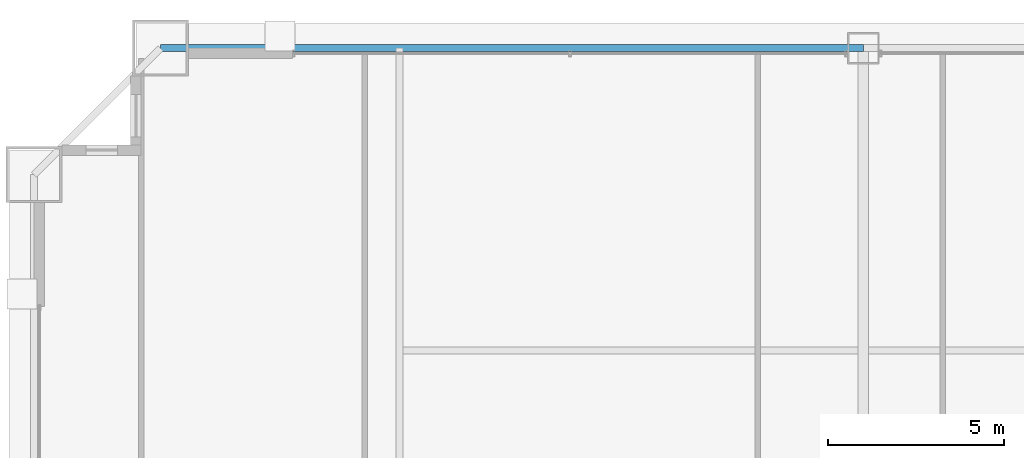
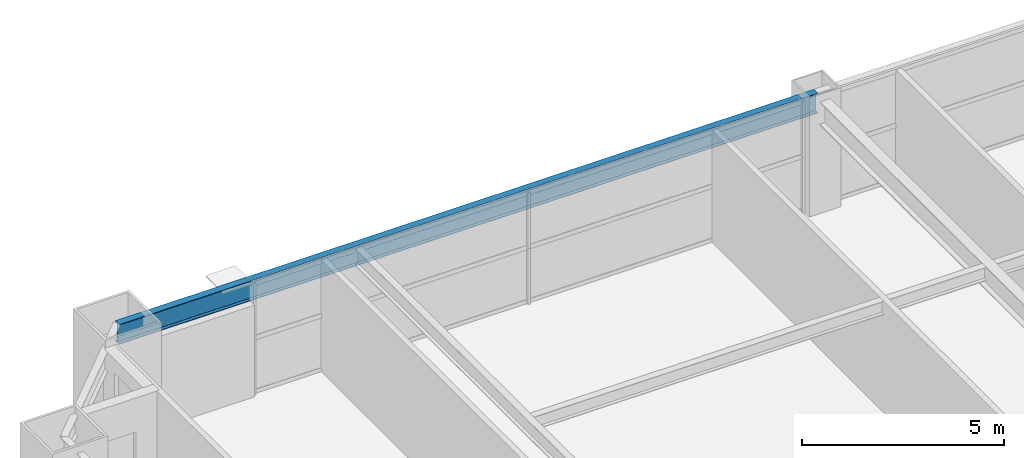
# One storey, part 24 of 39: 1 beam.
"""IFC4 building model written with IfcOpenShell, lengths in metres."""

from ifc_helpers import new_model, si_unit, direction, frame, origin, origin_2d, place, context, subcontext, project, spatial, i_section, extrude, source, transform, mapped, material, material_profile, profile_set, type_object, element, save


model = new_model("IFC4")

# Units and contexts
model_context = context("Model", 3, precision=1e-05, world=origin(), true_north=direction((0.0, 1.0)))
body_context = subcontext(model_context, "Body", "Model", "MODEL_VIEW")
ifc_project = project(units=[si_unit("LENGTHUNIT", "METRE"), si_unit("AREAUNIT", "SQUARE_METRE"), si_unit("VOLUMEUNIT", "CUBIC_METRE"), si_unit("PLANEANGLEUNIT", "RADIAN"), si_unit("MASSUNIT", "GRAM", prefix="KILO"), si_unit("THERMODYNAMICTEMPERATUREUNIT", "KELVIN"), si_unit("POWERUNIT", "WATT")], contexts=[model_context])

# Site, building, storey
site_placement = place(None, origin())
site = spatial("IfcSite", under=ifc_project, at=site_placement, CompositionType="ELEMENT")
building_placement = place(site_placement, origin())
building = spatial("IfcBuilding", under=site, at=building_placement, Name="Yuzanri Waterfront Tower", CompositionType="ELEMENT")
storey_placement = place(building_placement, frame((0.0, 0.0, 141.60009765625)))
storey = spatial("IfcBuildingStorey", under=building, at=storey_placement, Name="L37", CompositionType="ELEMENT", Elevation=141.60009765625)

# Beam
ifc_material = material(Name="Steel Q355B", Category="steel")
ifc_material_profile = material_profile(ifc_material, i_section(OverallWidth=0.199951171875, OverallDepth=0.60009765625, WebThickness=0.010986328125, FlangeThickness=0.01708984375, at=origin_2d()), Name="HN 600x200x11x17")
ifc_profile_set = profile_set([ifc_material_profile], Name="Steel Q355B")
beam_type = type_object("IfcBeamType", Name="Perimeter Spandrel Q355B HN 600x200", PredefinedType="SPANDREL", material=ifc_profile_set)
shared_shape = source(origin(), body_context, "Body", "SweptSolid", [
    extrude(i_section(OverallWidth=0.199951171875, OverallDepth=0.60009765625, WebThickness=0.010986328125, FlangeThickness=0.01708984375, at=origin_2d()), origin(), (0.0, 0.0, 1.0), 20.0),
])
beam_placement = place(storey_placement, frame((37.0, 49.39990234375, 3.079833984375), z_axis=(-1.0, 0.0, 0.0), x_axis=(0.0, -1.0, 0.0)))
element("IfcBeam", 1, at=beam_placement, inside=storey, type_object=beam_type, Name="L37 Perimeter Spandrel N2-N1", PredefinedType="SPANDREL", context=body_context, shape_type="MappedRepresentation", body=[
    mapped(shared_shape, transform((0.0, 0.0, 0.0), scale=1.0)),
])

save(model, "model.ifc")
